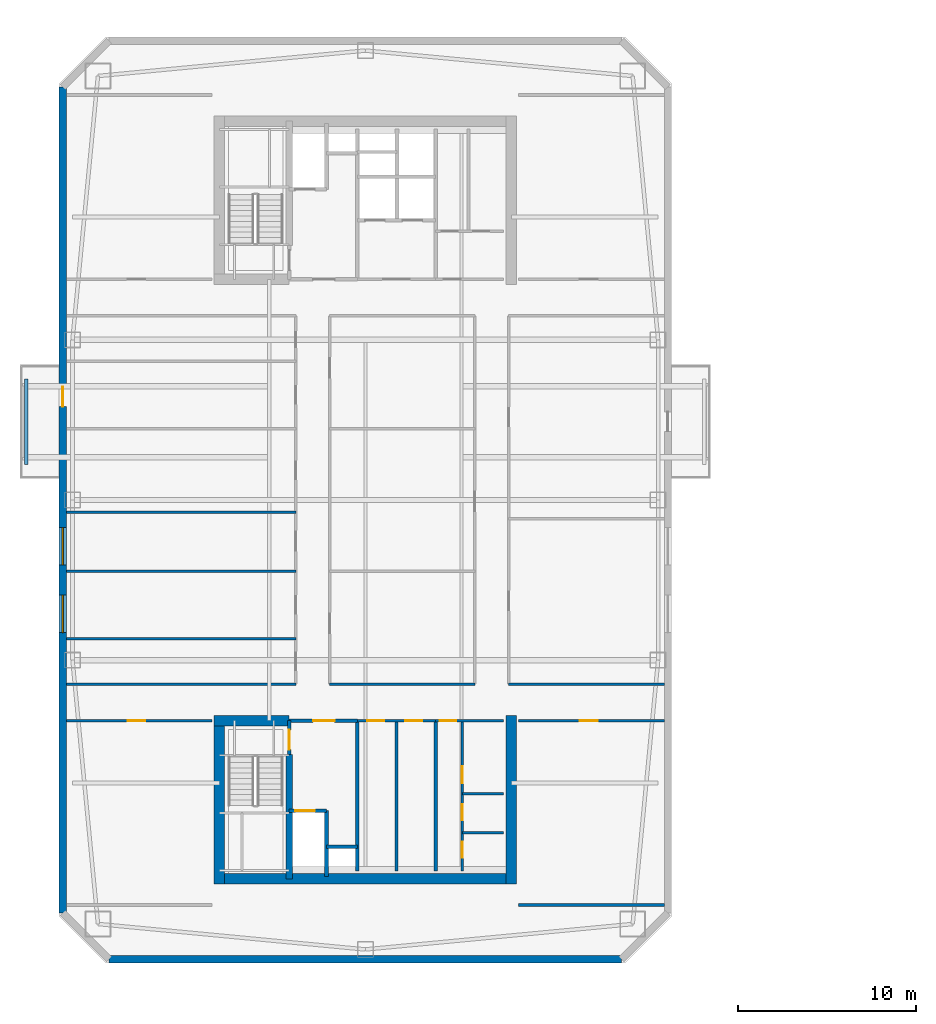
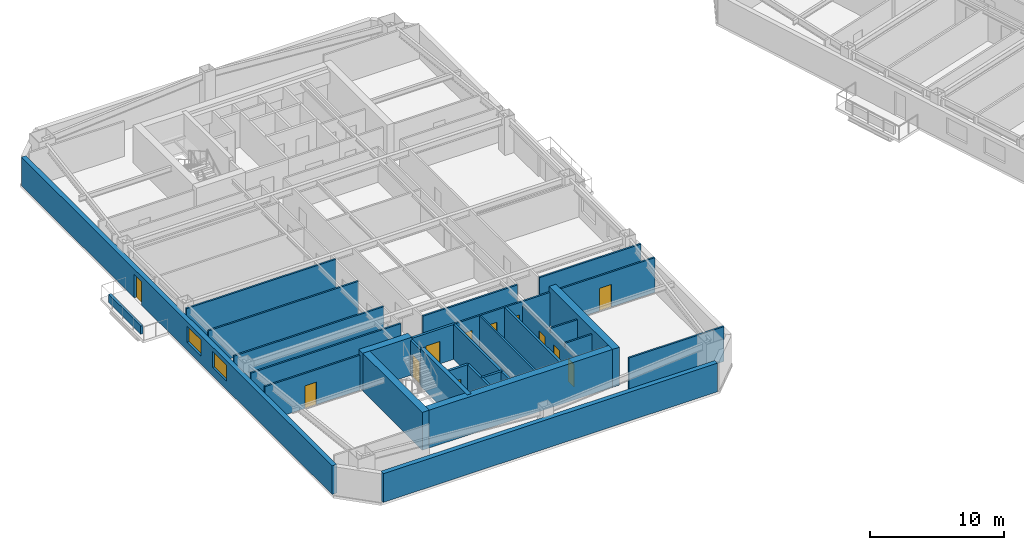
# One storey, part 6 of 17: 30 walls, 12 doors, 2 windows, 14 openings.
"""IFC4 building model written with IfcOpenShell, lengths in metres."""

from ifc_helpers import new_model, si_unit, direction, frame, frame_2d, origin, place, context, subcontext, project, spatial, rectangle, extrude, material, layer, layer_set, type_object, element, fill, save


model = new_model("IFC4")

# Units and contexts
model_context = context("Model", 3, precision=1e-05, world=origin(), true_north=direction((0.0, 1.0)))
body_context = subcontext(model_context, "Body", "Model", "MODEL_VIEW")
ifc_project = project(units=[si_unit("LENGTHUNIT", "METRE"), si_unit("AREAUNIT", "SQUARE_METRE"), si_unit("VOLUMEUNIT", "CUBIC_METRE"), si_unit("PLANEANGLEUNIT", "RADIAN"), si_unit("MASSUNIT", "GRAM", prefix="KILO")], contexts=[model_context])

# Site, building, storey
site_placement = place(None, origin())
site = spatial("IfcSite", under=ifc_project, at=site_placement, CompositionType="ELEMENT")
building_placement = place(site_placement, origin())
building = spatial("IfcBuilding", under=site, at=building_placement, Name="Qiaolan Cultural Towers", CompositionType="ELEMENT")
storey_placement = place(building_placement, frame((0.0, 0.0, 177.10009765625)))
storey = spatial("IfcBuildingStorey", under=building, at=storey_placement, Name="L47", CompositionType="ELEMENT", Elevation=177.10009765625)

# Walls
ifc_material_1 = material(Name="Concrete C50", Category="concrete")
ifc_layer_1 = layer(ifc_material_1, 0.35009765625)
ifc_layer_set_1 = layer_set([ifc_layer_1], Name="Concrete C50")
wall_type_1 = type_object("IfcWallType", Name="WL-CORE-350", PredefinedType="SHEAR", material=ifc_layer_set_1)
wall_1_placement = place(storey_placement, frame((25.719970703125, 19.699951171875, 0.0), z_axis=(0.0, 0.0, 1.0), x_axis=(0.0, -1.0, 0.0)))
element("IfcWall", 1, at=wall_1_placement, inside=storey, type_object=wall_type_1, Name="L47 T1-CS Stair Core Dividing Web", PredefinedType="SHEAR", context=body_context, shape_type="SweptSolid", body=[
    extrude(rectangle(XDim=6.97998046875, YDim=0.35009765625, at=frame_2d((3.489990234375, 0.0))), origin(), (0.0, 0.0, 1.0), 3.449951171875),
])
ifc_material_2 = material(Name="Concrete C55", Category="concrete")
ifc_layer_2 = layer(ifc_material_2, 0.60009765625)
ifc_layer_set_2 = layer_set([ifc_layer_2], Name="Concrete C55")
wall_type_2 = type_object("IfcWallType", Name="WL-CORE-600", PredefinedType="SHEAR", material=ifc_layer_set_2)
wall_2_placement = place(storey_placement, frame((21.5, 12.719970703125, 0.0), z_axis=(0.0, 0.0, 1.0), x_axis=(1.0, 0.0, 0.0)))
element("IfcWall", 2, at=wall_2_placement, inside=storey, type_object=wall_type_2, Name="L47 T1-CS Outer Core Shear Wall", PredefinedType="SHEAR", context=body_context, shape_type="SweptSolid", body=[
    extrude(rectangle(XDim=17.0, YDim=0.60009765625, at=frame_2d((8.5, 0.0))), origin(), (0.0, 0.0, 1.0), 3.449951171875),
])
for number, where, z_axis, x_axis, name in (
    (3, (21.800048828125, 21.89990234375, 0.0), (0.0, 0.0, 1.0), (0.0, -1.0, 0.0), "L47 T1-CS West Core Shear Wall"),
    (4, (38.199951171875, 21.89990234375, 0.0), (0.0, 0.0, 1.0), (0.0, -1.0, 0.0), "L47 T1-CS East Core Shear Wall"),
):
    element("IfcWall", number, at=place(storey_placement, frame(where, z_axis=z_axis, x_axis=x_axis)), inside=storey, type_object=wall_type_2, Name=name, PredefinedType="SHEAR", context=body_context, shape_type="SweptSolid", body=[
        extrude(rectangle(XDim=9.47998046875, YDim=0.60009765625, at=frame_2d((4.739990234375, 0.0))), origin(), (0.0, 0.0, 1.0), 3.449951171875),
    ])
wall_3_placement = place(storey_placement, frame((21.5, 21.60009765625, 0.0), z_axis=(0.0, 0.0, 1.0), x_axis=(1.0, 0.0, 0.0)))
element("IfcWall", 5, at=wall_3_placement, inside=storey, type_object=wall_type_2, Name="L47 T1-CS Stair Front Shear Wall", PredefinedType="SHEAR", context=body_context, shape_type="SweptSolid", body=[
    extrude(rectangle(XDim=4.219970703125, YDim=0.60009765625, at=frame_2d((2.10986328125, 0.0))), origin(), (0.0, 0.0, 1.0), 3.449951171875),
])

# Wall, openings, door, windows
ifc_material_3 = material(Name="Precast Concrete C50 Honed Stone Pier", Category="masonry")
ifc_layer_3 = layer(ifc_material_3, 0.39990234375)
ifc_layer_set_3 = layer_set([ifc_layer_3], Name="Precast Concrete C50 Honed Stone Pier")
wall_type_3 = type_object("IfcWallType", Name="WL-EXT-PIER-400", PredefinedType="SOLIDWALL", material=ifc_layer_set_3)
wall_4_placement = place(storey_placement, frame((13.0, 10.800048828125, 0.0), z_axis=(0.0, 0.0, 1.0), x_axis=(0.0, 1.0, 0.0)))
wall_4 = element("IfcWall", 6, at=wall_4_placement, inside=storey, type_object=wall_type_3, Name="L47 West Tower Precast Pier Facade Wall F1", PredefinedType="SOLIDWALL", context=body_context, shape_type="SweptSolid", body=[
    extrude(rectangle(XDim=46.39990234375, YDim=0.39990234375, at=frame_2d((23.199951171875, 0.0))), origin(), (0.0, 0.0, 1.0), 2.60986328125),
])
opening_1_placement = place(wall_4_placement, frame((15.75, 0.0, 0.75)))
opening_1 = element("IfcOpeningElement", 7, at=opening_1_placement, cuts=wall_4, Name="Opening W-05", PredefinedType="OPENING", context=body_context, shape_type="SweptSolid", body=[
    extrude(rectangle(XDim=2.10009765625, YDim=1.4599609375, at=frame_2d((1.050048828125, 0.72998046875))), frame((0.0, 0.2099609375, 0.0), z_axis=(0.0, -1.0, 0.0), x_axis=(1.0, 0.0, 0.0)), (0.0, 0.0, 1.0), 0.419921875),
])
opening_2_placement = place(wall_4_placement, frame((19.550048828125, 0.0, 0.75)))
opening_2 = element("IfcOpeningElement", 8, at=opening_2_placement, cuts=wall_4, Name="Opening W-05", PredefinedType="OPENING", context=body_context, shape_type="SweptSolid", body=[
    extrude(rectangle(XDim=2.10009765625, YDim=1.4599609375, at=frame_2d((1.050048828125, 0.72998046875))), frame((0.0, 0.2099609375, 0.0), z_axis=(0.0, -1.0, 0.0), x_axis=(1.0, 0.0, 0.0)), (0.0, 0.0, 1.0), 0.419921875),
])
opening_3_placement = place(wall_4_placement, frame((28.449951171875, 0.0, 0.0)))
opening_3 = element("IfcOpeningElement", 9, at=opening_3_placement, cuts=wall_4, Name="Opening BD-01", PredefinedType="OPENING", context=body_context, shape_type="SweptSolid", body=[
    extrude(rectangle(XDim=1.10009765625, YDim=2.14990234375, at=frame_2d((0.550048828125, 1.074951171875))), frame((0.0, 0.2099609375, 0.0), z_axis=(0.0, -1.0, 0.0), x_axis=(1.0, 0.0, 0.0)), (0.0, 0.0, 1.0), 0.419921875),
])
ifc_material_4 = material(Name="Thermally Broken Aluminium Glazed Terrace Door", Category="aluminium")
door_type_1 = type_object("IfcDoorType", Name="DR-BAL-1100", OperationType="NOTDEFINED", PredefinedType="DOOR", material=ifc_material_4)
door_1_placement = place(opening_3_placement, origin())
door_1 = element("IfcDoor", 10, at=door_1_placement, inside=storey, type_object=door_type_1, Name="L47 T1 West Tree Balcony Door", OperationType="SINGLE_SWING_LEFT", OverallHeight=2.14990234375, OverallWidth=1.10009765625, PredefinedType="DOOR", context=body_context, shape_type="SweptSolid", body=[
    extrude(rectangle(XDim=1.10009765625, YDim=2.14990234375, at=frame_2d((0.550048828125, 1.074951171875))), frame((0.0, 0.02490234375, 0.0), z_axis=(0.0, -1.0, 0.0), x_axis=(1.0, 0.0, 0.0)), (0.0, 0.0, 1.0), 0.050048828125),
])
fill(opening_3, door_1)
ifc_material_5 = material(Name="Thermally Broken Aluminium Triple Low-E Glazing", Category="aluminium")
window_type = type_object("IfcWindowType", Name="WN-CHIC-2100", PartitioningType="SINGLE_PANEL", PredefinedType="WINDOW", material=ifc_material_5)
window_1_placement = place(opening_1_placement, origin())
window_1 = element("IfcWindow", 11, at=window_1_placement, inside=storey, type_object=window_type, Name="L47 T1 W Chicago Bay Window 1", OverallHeight=1.4599609375, OverallWidth=2.10009765625, PartitioningType="TRIPLE_PANEL_VERTICAL", PredefinedType="WINDOW", context=body_context, shape_type="SweptSolid", body=[
    extrude(rectangle(XDim=2.10009765625, YDim=1.4599609375, at=frame_2d((1.050048828125, 0.72998046875))), frame((0.0, 0.030029296875, 0.0), z_axis=(0.0, -1.0, 0.0), x_axis=(1.0, 0.0, 0.0)), (0.0, 0.0, 1.0), 0.06005859375),
])
fill(opening_1, window_1)
window_2_placement = place(opening_2_placement, origin())
window_2 = element("IfcWindow", 12, at=window_2_placement, inside=storey, type_object=window_type, Name="L47 T1 W Chicago Bay Window 2", OverallHeight=1.4599609375, OverallWidth=2.10009765625, PartitioningType="TRIPLE_PANEL_VERTICAL", PredefinedType="WINDOW", context=body_context, shape_type="SweptSolid", body=[
    extrude(rectangle(XDim=2.10009765625, YDim=1.4599609375, at=frame_2d((1.050048828125, 0.72998046875))), frame((0.0, 0.030029296875, 0.0), z_axis=(0.0, -1.0, 0.0), x_axis=(1.0, 0.0, 0.0)), (0.0, 0.0, 1.0), 0.06005859375),
])
fill(opening_2, window_2)

# Wall
wall_5_placement = place(storey_placement, frame((44.39990234375, 8.199951171875, 0.0), z_axis=(0.0, 0.0, 1.0), x_axis=(-1.0, 0.0, 0.0)))
element("IfcWall", 13, at=wall_5_placement, inside=storey, type_object=wall_type_3, Name="L47 West Tower Precast Pier Facade Wall F7", PredefinedType="SOLIDWALL", context=body_context, shape_type="SweptSolid", body=[
    extrude(rectangle(XDim=28.7998046875, YDim=0.39990234375, at=frame_2d((14.39990234375, 0.0))), origin(), (0.0, 0.0, 1.0), 2.60986328125),
])

# Wall, opening, door
ifc_material_6 = material(Name="Concrete C35 Fire Wall", Category="concrete")
ifc_layer_4 = layer(ifc_material_6, 0.199951171875)
ifc_layer_set_4 = layer_set([ifc_layer_4], Name="Concrete C35 Fire Wall")
wall_type_4 = type_object("IfcWallType", Name="WL-FIRE-200", PredefinedType="PARTITIONING", material=ifc_layer_set_4)
wall_6_placement = place(storey_placement, frame((25.719970703125, 21.60009765625, 0.0), z_axis=(0.0, 0.0, 1.0), x_axis=(0.0, -1.0, 0.0)))
wall_6 = element("IfcWall", 14, at=wall_6_placement, inside=storey, type_object=wall_type_4, Name="L47 T1-CS Smokeproof Stair Entry Wall", PredefinedType="PARTITIONING", context=body_context, shape_type="SweptSolid", body=[
    extrude(rectangle(XDim=1.900146484375, YDim=0.199951171875, at=frame_2d((0.9501953125, 0.0))), origin(), (0.0, 0.0, 1.0), 3.1748046875),
])
opening_4_placement = place(wall_6_placement, frame((0.52001953125, 0.0, 0.0)))
opening_4 = element("IfcOpeningElement", 15, at=opening_4_placement, cuts=wall_6, Name="Opening FD-04", PredefinedType="OPENING", context=body_context, shape_type="SweptSolid", body=[
    extrude(rectangle(XDim=1.10009765625, YDim=2.050048828125, at=frame_2d((0.550048828125, 1.02490234375))), frame((0.0, 0.10986328125, 0.0), z_axis=(0.0, -1.0, 0.0), x_axis=(1.0, 0.0, 0.0)), (0.0, 0.0, 1.0), 0.219970703125),
])
ifc_material_7 = material(Name="Galvanized Steel Command Fire Door", Category="steel")
door_type_2 = type_object("IfcDoorType", Name="DR-FD90-1100", OperationType="NOTDEFINED", PredefinedType="DOOR", material=ifc_material_7)
door_2_placement = place(opening_4_placement, origin())
door_2 = element("IfcDoor", 16, at=door_2_placement, inside=storey, type_object=door_type_2, Name="L47 ST-W1 Smokeproof Stair Fire Door", OperationType="SINGLE_SWING_LEFT", OverallHeight=2.050048828125, OverallWidth=1.10009765625, PredefinedType="DOOR", context=body_context, shape_type="SweptSolid", body=[
    extrude(rectangle(XDim=1.10009765625, YDim=2.050048828125, at=frame_2d((0.550048828125, 1.02490234375))), frame((0.0, 0.02490234375, 0.0), z_axis=(0.0, -1.0, 0.0), x_axis=(1.0, 0.0, 0.0)), (0.0, 0.0, 1.0), 0.050048828125),
])
fill(opening_4, door_2)

# Wall
wall_7_placement = place(storey_placement, frame((29.550048828125, 21.60009765625, 0.0), z_axis=(0.0, 0.0, 1.0), x_axis=(0.0, -1.0, 0.0)))
element("IfcWall", 17, at=wall_7_placement, inside=storey, type_object=wall_type_4, Name="L47 T1-CS Firefighting Zone Wall", PredefinedType="PARTITIONING", context=body_context, shape_type="SweptSolid", body=[
    extrude(rectangle(XDim=8.43017578125, YDim=0.199951171875, at=frame_2d((4.215087890625, 0.0))), origin(), (0.0, 0.0, 1.0), 3.1748046875),
])

# Wall, opening, door
wall_8_placement = place(storey_placement, frame((25.719970703125, 21.60009765625, 0.0), z_axis=(0.0, 0.0, 1.0), x_axis=(1.0, 0.0, 0.0)))
wall_8 = element("IfcWall", 18, at=wall_8_placement, inside=storey, type_object=wall_type_4, Name="L47 T1-CS Firefighting Lobby Front Wall", PredefinedType="PARTITIONING", context=body_context, shape_type="SweptSolid", body=[
    extrude(rectangle(XDim=3.830078125, YDim=0.199951171875, at=frame_2d((1.9150390625, 0.0))), origin(), (0.0, 0.0, 1.0), 3.1748046875),
])
opening_5_placement = place(wall_8_placement, frame((1.35009765625, 0.0, 0.0)))
opening_5 = element("IfcOpeningElement", 19, at=opening_5_placement, cuts=wall_8, Name="Opening FD-03", PredefinedType="OPENING", context=body_context, shape_type="SweptSolid", body=[
    extrude(rectangle(XDim=1.199951171875, YDim=2.050048828125, at=frame_2d((0.60009765625, 1.02490234375))), frame((0.0, 0.10986328125, 0.0), z_axis=(0.0, -1.0, 0.0), x_axis=(1.0, 0.0, 0.0)), (0.0, 0.0, 1.0), 0.219970703125),
])
ifc_material_8 = material(Name="Galvanized Steel Smokeproof Lobby Fire Door", Category="steel")
door_type_3 = type_object("IfcDoorType", Name="DR-FD90-1200", OperationType="NOTDEFINED", PredefinedType="DOOR", material=ifc_material_8)
door_3_placement = place(opening_5_placement, origin())
door_3 = element("IfcDoor", 20, at=door_3_placement, inside=storey, type_object=door_type_3, Name="L47 FFL-W1 Firefighting Lobby Fire Door", OperationType="SINGLE_SWING_LEFT", OverallHeight=2.050048828125, OverallWidth=1.199951171875, PredefinedType="DOOR", context=body_context, shape_type="SweptSolid", body=[
    extrude(rectangle(XDim=1.199951171875, YDim=2.050048828125, at=frame_2d((0.60009765625, 1.02490234375))), frame((0.0, 0.02490234375, 0.0), z_axis=(0.0, -1.0, 0.0), x_axis=(1.0, 0.0, 0.0)), (0.0, 0.0, 1.0), 0.050048828125),
])
fill(opening_5, door_3)

wall_9_placement = place(storey_placement, frame((25.719970703125, 16.550048828125, 0.0), z_axis=(0.0, 0.0, 1.0), x_axis=(1.0, 0.0, 0.0)))
wall_9 = element("IfcWall", 21, at=wall_9_placement, inside=storey, type_object=wall_type_4, Name="L47 T1-CS Firefighting Shaft Front Wall", PredefinedType="PARTITIONING", context=body_context, shape_type="SweptSolid", body=[
    extrude(rectangle(XDim=2.10009765625, YDim=0.199951171875, at=frame_2d((1.050048828125, 0.0))), origin(), (0.0, 0.0, 1.0), 3.1748046875),
])
opening_6_placement = place(wall_9_placement, frame((0.35009765625, 0.0, 0.0)))
opening_6 = element("IfcOpeningElement", 22, at=opening_6_placement, cuts=wall_9, Name="Opening LD-01", PredefinedType="OPENING", context=body_context, shape_type="SweptSolid", body=[
    extrude(rectangle(XDim=1.10009765625, YDim=2.050048828125, at=frame_2d((0.550048828125, 1.02490234375))), frame((0.0, 0.10986328125, 0.0), z_axis=(0.0, -1.0, 0.0), x_axis=(1.0, 0.0, 0.0)), (0.0, 0.0, 1.0), 0.219970703125),
])
ifc_material_9 = material(Name="Brushed Stainless Steel S30408 Centre-Parting Lift Landing Door", Category="steel")
door_type_4 = type_object("IfcDoorType", Name="DR-LIFT-1100", OperationType="NOTDEFINED", PredefinedType="DOOR", material=ifc_material_9)
door_4_placement = place(opening_6_placement, origin())
door_4 = element("IfcDoor", 23, at=door_4_placement, inside=storey, type_object=door_type_4, Name="L47 FFL-W1 Firefighting Lift Landing Door", OperationType="DOUBLE_DOOR_SLIDING", OverallHeight=2.050048828125, OverallWidth=1.10009765625, PredefinedType="DOOR", context=body_context, shape_type="SweptSolid", body=[
    extrude(rectangle(XDim=1.10009765625, YDim=2.050048828125, at=frame_2d((0.550048828125, 1.02490234375))), frame((0.0, 0.02490234375, 0.0), z_axis=(0.0, -1.0, 0.0), x_axis=(1.0, 0.0, 0.0)), (0.0, 0.0, 1.0), 0.050048828125),
])
fill(opening_6, door_4)

# Walls
wall_10_placement = place(storey_placement, frame((27.820068359375, 16.550048828125, 0.0), z_axis=(0.0, 0.0, 1.0), x_axis=(0.0, -1.0, 0.0)))
element("IfcWall", 24, at=wall_10_placement, inside=storey, type_object=wall_type_4, Name="L47 T1-CS Firefighting Hoistway East Wall", PredefinedType="PARTITIONING", context=body_context, shape_type="SweptSolid", body=[
    extrude(rectangle(XDim=3.699951171875, YDim=0.199951171875, at=frame_2d((1.85009765625, 0.0))), origin(), (0.0, 0.0, 1.0), 3.1748046875),
])
wall_11_placement = place(storey_placement, frame((27.820068359375, 14.52001953125, 0.0), z_axis=(0.0, 0.0, 1.0), x_axis=(1.0, 0.0, 0.0)))
element("IfcWall", 25, at=wall_11_placement, inside=storey, type_object=wall_type_4, Name="L47 T1-CS Pressurization Shaft Front Wall", PredefinedType="PARTITIONING", context=body_context, shape_type="SweptSolid", body=[
    extrude(rectangle(XDim=1.72998046875, YDim=0.199951171875, at=frame_2d((0.864990234375, 0.0))), origin(), (0.0, 0.0, 1.0), 3.1748046875),
])
wall_12_placement = place(storey_placement, frame((33.949951171875, 21.60009765625, 0.0), z_axis=(0.0, 0.0, 1.0), x_axis=(0.0, -1.0, 0.0)))
element("IfcWall", 26, at=wall_12_placement, inside=storey, type_object=wall_type_4, Name="L47 T1-CS Lift Core East Wall", PredefinedType="PARTITIONING", context=body_context, shape_type="SweptSolid", body=[
    extrude(rectangle(XDim=8.43017578125, YDim=0.199951171875, at=frame_2d((4.215087890625, 0.0))), origin(), (0.0, 0.0, 1.0), 3.1748046875),
])

# Wall, openings, doors
ifc_material_10 = material(Name="Autoclaved Aerated Concrete Block B06", Category="concrete")
ifc_layer_5 = layer(ifc_material_10, 0.14990234375)
ifc_layer_set_5 = layer_set([ifc_layer_5], Name="Autoclaved Aerated Concrete Block B06")
wall_type_5 = type_object("IfcWallType", Name="WL-PART-150", PredefinedType="PARTITIONING", material=ifc_layer_set_5)
wall_13_placement = place(storey_placement, frame((29.550048828125, 21.60009765625, 0.0), z_axis=(0.0, 0.0, 1.0), x_axis=(1.0, 0.0, 0.0)))
wall_13 = element("IfcWall", 27, at=wall_13_placement, inside=storey, type_object=wall_type_5, Name="L47 T1-CS Reclaimed Core Room Front Wall", PredefinedType="PARTITIONING", context=body_context, shape_type="SweptSolid", body=[
    extrude(rectangle(XDim=4.39990234375, YDim=0.14990234375, at=frame_2d((2.199951171875, 0.0))), origin(), (0.0, 0.0, 1.0), 3.1748046875),
])
opening_7_placement = place(wall_13_placement, frame((0.550048828125, 0.0, 0.0)))
opening_7 = element("IfcOpeningElement", 28, at=opening_7_placement, cuts=wall_13, Name="Opening ID-05", PredefinedType="OPENING", context=body_context, shape_type="SweptSolid", body=[
    extrude(rectangle(XDim=0.949951171875, YDim=2.050048828125, at=frame_2d((0.47509765625, 1.02490234375))), frame((0.0, 0.0849609375, 0.0), z_axis=(0.0, -1.0, 0.0), x_axis=(1.0, 0.0, 0.0)), (0.0, 0.0, 1.0), 0.169921875),
])
opening_8_placement = place(wall_13_placement, frame((2.699951171875, 0.0, 0.0)))
opening_8 = element("IfcOpeningElement", 29, at=opening_8_placement, cuts=wall_13, Name="Opening ID-05", PredefinedType="OPENING", context=body_context, shape_type="SweptSolid", body=[
    extrude(rectangle(XDim=0.949951171875, YDim=2.050048828125, at=frame_2d((0.47509765625, 1.02490234375))), frame((0.0, 0.0849609375, 0.0), z_axis=(0.0, -1.0, 0.0), x_axis=(1.0, 0.0, 0.0)), (0.0, 0.0, 1.0), 0.169921875),
])
ifc_material_11 = material(Name="Fire-Rated Laminate Accessible Core Door", Category="timber")
door_type_5 = type_object("IfcDoorType", Name="DR-INT-950", OperationType="NOTDEFINED", PredefinedType="DOOR", material=ifc_material_11)
door_5_placement = place(opening_7_placement, origin())
door_5 = element("IfcDoor", 30, at=door_5_placement, inside=storey, type_object=door_type_5, Name="L47 Copy Print Room Door", OperationType="SINGLE_SWING_LEFT", OverallHeight=2.050048828125, OverallWidth=0.949951171875, PredefinedType="DOOR", context=body_context, shape_type="SweptSolid", body=[
    extrude(rectangle(XDim=0.949951171875, YDim=2.050048828125, at=frame_2d((0.47509765625, 1.02490234375))), frame((0.0, 0.02490234375, 0.0), z_axis=(0.0, -1.0, 0.0), x_axis=(1.0, 0.0, 0.0)), (0.0, 0.0, 1.0), 0.050048828125),
])
fill(opening_7, door_5)
door_6_placement = place(opening_8_placement, origin())
door_6 = element("IfcDoor", 31, at=door_6_placement, inside=storey, type_object=door_type_5, Name="L47 Tea Pantry Room Door", OperationType="SINGLE_SWING_RIGHT", OverallHeight=2.050048828125, OverallWidth=0.949951171875, PredefinedType="DOOR", context=body_context, shape_type="SweptSolid", body=[
    extrude(rectangle(XDim=0.949951171875, YDim=2.050048828125, at=frame_2d((0.47509765625, 1.02490234375))), frame((0.0, 0.02490234375, 0.0), z_axis=(0.0, -1.0, 0.0), x_axis=(1.0, 0.0, 0.0)), (0.0, 0.0, 1.0), 0.050048828125),
])
fill(opening_8, door_6)

# Wall
wall_14_placement = place(storey_placement, frame((31.75, 21.60009765625, 0.0), z_axis=(0.0, 0.0, 1.0), x_axis=(0.0, -1.0, 0.0)))
element("IfcWall", 32, at=wall_14_placement, inside=storey, type_object=wall_type_5, Name="L47 T1-CS Reclaimed Twin Room Wall", PredefinedType="PARTITIONING", context=body_context, shape_type="SweptSolid", body=[
    extrude(rectangle(XDim=8.43017578125, YDim=0.14990234375, at=frame_2d((4.215087890625, 0.0))), origin(), (0.0, 0.0, 1.0), 3.1748046875),
])

# Wall, opening, door
wall_15_placement = place(storey_placement, frame((33.949951171875, 21.60009765625, 0.0), z_axis=(0.0, 0.0, 1.0), x_axis=(1.0, 0.0, 0.0)))
wall_15 = element("IfcWall", 33, at=wall_15_placement, inside=storey, type_object=wall_type_5, Name="L47 T1-CS Sanitary Core Front Wall", PredefinedType="PARTITIONING", context=body_context, shape_type="SweptSolid", body=[
    extrude(rectangle(XDim=3.800048828125, YDim=0.14990234375, at=frame_2d((1.89990234375, 0.0))), origin(), (0.0, 0.0, 1.0), 3.1748046875),
])
opening_9_placement = place(wall_15_placement, frame((0.219970703125, 0.0, 0.0)))
opening_9 = element("IfcOpeningElement", 34, at=opening_9_placement, cuts=wall_15, Name="Opening ID-05", PredefinedType="OPENING", context=body_context, shape_type="SweptSolid", body=[
    extrude(rectangle(XDim=0.949951171875, YDim=2.050048828125, at=frame_2d((0.47509765625, 1.02490234375))), frame((0.0, 0.0849609375, 0.0), z_axis=(0.0, -1.0, 0.0), x_axis=(1.0, 0.0, 0.0)), (0.0, 0.0, 1.0), 0.169921875),
])
door_7_placement = place(opening_9_placement, origin())
door_7 = element("IfcDoor", 35, at=door_7_placement, inside=storey, type_object=door_type_5, Name="L47 Sanitary Vestibule Door", OperationType="SINGLE_SWING_LEFT", OverallHeight=2.050048828125, OverallWidth=0.949951171875, PredefinedType="DOOR", context=body_context, shape_type="SweptSolid", body=[
    extrude(rectangle(XDim=0.949951171875, YDim=2.050048828125, at=frame_2d((0.47509765625, 1.02490234375))), frame((0.0, 0.02490234375, 0.0), z_axis=(0.0, -1.0, 0.0), x_axis=(1.0, 0.0, 0.0)), (0.0, 0.0, 1.0), 0.050048828125),
])
fill(opening_9, door_7)

# Wall, openings, doors
wall_16_placement = place(storey_placement, frame((35.449951171875, 21.60009765625, 0.0), z_axis=(0.0, 0.0, 1.0), x_axis=(0.0, -1.0, 0.0)))
wall_16 = element("IfcWall", 36, at=wall_16_placement, inside=storey, type_object=wall_type_5, Name="L47 T1-CS Sanitary Vestibule Wall", PredefinedType="PARTITIONING", context=body_context, shape_type="SweptSolid", body=[
    extrude(rectangle(XDim=8.43017578125, YDim=0.14990234375, at=frame_2d((4.215087890625, 0.0))), origin(), (0.0, 0.0, 1.0), 2.81494140625),
])
opening_10_placement = place(wall_16_placement, frame((2.550048828125, 0.0, 0.0)))
opening_10 = element("IfcOpeningElement", 37, at=opening_10_placement, cuts=wall_16, Name="Opening ID-05", PredefinedType="OPENING", context=body_context, shape_type="SweptSolid", body=[
    extrude(rectangle(XDim=0.949951171875, YDim=2.050048828125, at=frame_2d((0.47509765625, 1.02490234375))), frame((0.0, 0.0849609375, 0.0), z_axis=(0.0, -1.0, 0.0), x_axis=(1.0, 0.0, 0.0)), (0.0, 0.0, 1.0), 0.169921875),
])
opening_11_placement = place(wall_16_placement, frame((4.699951171875, 0.0, 0.0)))
opening_11 = element("IfcOpeningElement", 38, at=opening_11_placement, cuts=wall_16, Name="Opening ID-06", PredefinedType="OPENING", context=body_context, shape_type="SweptSolid", body=[
    extrude(rectangle(XDim=0.89990234375, YDim=2.050048828125, at=frame_2d((0.449951171875, 1.02490234375))), frame((0.0, 0.0849609375, 0.0), z_axis=(0.0, -1.0, 0.0), x_axis=(1.0, 0.0, 0.0)), (0.0, 0.0, 1.0), 0.169921875),
])
opening_12_placement = place(wall_16_placement, frame((6.800048828125, 0.0, 0.0)))
opening_12 = element("IfcOpeningElement", 39, at=opening_12_placement, cuts=wall_16, Name="Opening ID-06", PredefinedType="OPENING", context=body_context, shape_type="SweptSolid", body=[
    extrude(rectangle(XDim=0.89990234375, YDim=2.050048828125, at=frame_2d((0.449951171875, 1.02490234375))), frame((0.0, 0.0849609375, 0.0), z_axis=(0.0, -1.0, 0.0), x_axis=(1.0, 0.0, 0.0)), (0.0, 0.0, 1.0), 0.169921875),
])
ifc_material_12 = material(Name="Fire-Rated Laminate Core Service Door", Category="timber")
door_type_6 = type_object("IfcDoorType", Name="DR-INT-900", OperationType="NOTDEFINED", PredefinedType="DOOR", material=ifc_material_12)
door_8_placement = place(opening_11_placement, origin())
door_8 = element("IfcDoor", 40, at=door_8_placement, inside=storey, type_object=door_type_6, Name="L47 Men Washroom Door", OperationType="SINGLE_SWING_LEFT", OverallHeight=2.050048828125, OverallWidth=0.89990234375, PredefinedType="DOOR", context=body_context, shape_type="SweptSolid", body=[
    extrude(rectangle(XDim=0.89990234375, YDim=2.050048828125, at=frame_2d((0.449951171875, 1.02490234375))), frame((0.0, 0.02490234375, 0.0), z_axis=(0.0, -1.0, 0.0), x_axis=(1.0, 0.0, 0.0)), (0.0, 0.0, 1.0), 0.050048828125),
])
fill(opening_11, door_8)
door_9_placement = place(opening_12_placement, origin())
door_9 = element("IfcDoor", 41, at=door_9_placement, inside=storey, type_object=door_type_6, Name="L47 Women Washroom Door", OperationType="SINGLE_SWING_RIGHT", OverallHeight=2.050048828125, OverallWidth=0.89990234375, PredefinedType="DOOR", context=body_context, shape_type="SweptSolid", body=[
    extrude(rectangle(XDim=0.89990234375, YDim=2.050048828125, at=frame_2d((0.449951171875, 1.02490234375))), frame((0.0, 0.02490234375, 0.0), z_axis=(0.0, -1.0, 0.0), x_axis=(1.0, 0.0, 0.0)), (0.0, 0.0, 1.0), 0.050048828125),
])
fill(opening_12, door_9)
door_10_placement = place(opening_10_placement, origin())
door_10 = element("IfcDoor", 42, at=door_10_placement, inside=storey, type_object=door_type_5, Name="L47 Accessible Family Washroom Door", OperationType="SINGLE_SWING_LEFT", OverallHeight=2.050048828125, OverallWidth=0.949951171875, PredefinedType="DOOR", context=body_context, shape_type="SweptSolid", body=[
    extrude(rectangle(XDim=0.949951171875, YDim=2.050048828125, at=frame_2d((0.47509765625, 1.02490234375))), frame((0.0, 0.02490234375, 0.0), z_axis=(0.0, -1.0, 0.0), x_axis=(1.0, 0.0, 0.0)), (0.0, 0.0, 1.0), 0.050048828125),
])
fill(opening_10, door_10)

# Walls
for number, where, z_axis, x_axis, name in (
    (43, (35.449951171875, 17.5, 0.0), (0.0, 0.0, 1.0), (1.0, 0.0, 0.0), "L47 T1-CS Restroom Split Wall 1"),
    (44, (35.449951171875, 15.300048828125, 0.0), (0.0, 0.0, 1.0), (1.0, 0.0, 0.0), "L47 T1-CS Restroom Split Wall 2"),
):
    element("IfcWall", number, at=place(storey_placement, frame(where, z_axis=z_axis, x_axis=x_axis)), inside=storey, type_object=wall_type_5, Name=name, PredefinedType="PARTITIONING", context=body_context, shape_type="SweptSolid", body=[
        extrude(rectangle(XDim=2.300048828125, YDim=0.14990234375, at=frame_2d((1.14990234375, 0.0))), origin(), (0.0, 0.0, 1.0), 3.1748046875),
    ])

# Wall, opening, door
wall_17_placement = place(storey_placement, frame((13.199951171875, 21.60009765625, 0.0), z_axis=(0.0, 0.0, 1.0), x_axis=(1.0, 0.0, 0.0)))
wall_17 = element("IfcWall", 45, at=wall_17_placement, inside=storey, type_object=wall_type_5, Name="L47 T1 Flank Front FLK-SW", PredefinedType="PARTITIONING", context=body_context, shape_type="SweptSolid", body=[
    extrude(rectangle(XDim=8.199951171875, YDim=0.14990234375, at=frame_2d((4.10009765625, 0.0))), origin(), (0.0, 0.0, 1.0), 3.1748046875),
])
opening_13_placement = place(wall_17_placement, frame((3.444091796875, 0.0, 0.0)))
opening_13 = element("IfcOpeningElement", 46, at=opening_13_placement, cuts=wall_17, Name="Opening ID-04", PredefinedType="OPENING", context=body_context, shape_type="SweptSolid", body=[
    extrude(rectangle(XDim=1.0, YDim=2.050048828125, at=frame_2d((0.5, 1.02490234375))), frame((0.0, 0.0849609375, 0.0), z_axis=(0.0, -1.0, 0.0), x_axis=(1.0, 0.0, 0.0)), (0.0, 0.0, 1.0), 0.169921875),
])
ifc_material_13 = material(Name="Oak Veneer Acoustic Office Door", Category="timber")
door_type_7 = type_object("IfcDoorType", Name="DR-INT-1000", OperationType="NOTDEFINED", PredefinedType="DOOR", material=ifc_material_13)
door_11_placement = place(opening_13_placement, origin())
door_11 = element("IfcDoor", 47, at=door_11_placement, inside=storey, type_object=door_type_7, Name="L47 T1 Corner Studio Door", OperationType="SINGLE_SWING_LEFT", OverallHeight=2.050048828125, OverallWidth=1.0, PredefinedType="DOOR", context=body_context, shape_type="SweptSolid", body=[
    extrude(rectangle(XDim=1.0, YDim=2.050048828125, at=frame_2d((0.5, 1.02490234375))), frame((0.0, 0.02490234375, 0.0), z_axis=(0.0, -1.0, 0.0), x_axis=(1.0, 0.0, 0.0)), (0.0, 0.0, 1.0), 0.050048828125),
])
fill(opening_13, door_11)

# Wall
wall_18_placement = place(storey_placement, frame((38.60009765625, 11.25, 0.0), z_axis=(0.0, 0.0, 1.0), x_axis=(1.0, 0.0, 0.0)))
element("IfcWall", 48, at=wall_18_placement, inside=storey, type_object=wall_type_5, Name="L47 T1 Flank Wall FLK-SE", PredefinedType="PARTITIONING", context=body_context, shape_type="SweptSolid", body=[
    extrude(rectangle(XDim=8.199951171875, YDim=0.14990234375, at=frame_2d((4.10009765625, 0.0))), origin(), (0.0, 0.0, 1.0), 3.1748046875),
])

# Wall, opening, door
wall_19_placement = place(storey_placement, frame((38.60009765625, 21.60009765625, 0.0), z_axis=(0.0, 0.0, 1.0), x_axis=(1.0, 0.0, 0.0)))
wall_19 = element("IfcWall", 49, at=wall_19_placement, inside=storey, type_object=wall_type_5, Name="L47 T1 Flank Front FLK-SE", PredefinedType="PARTITIONING", context=body_context, shape_type="SweptSolid", body=[
    extrude(rectangle(XDim=8.199951171875, YDim=0.14990234375, at=frame_2d((4.10009765625, 0.0))), origin(), (0.0, 0.0, 1.0), 3.1748046875),
])
opening_14_placement = place(wall_19_placement, frame((3.444091796875, 0.0, 0.0)))
opening_14 = element("IfcOpeningElement", 50, at=opening_14_placement, cuts=wall_19, Name="Opening ID-04", PredefinedType="OPENING", context=body_context, shape_type="SweptSolid", body=[
    extrude(rectangle(XDim=1.0, YDim=2.050048828125, at=frame_2d((0.5, 1.02490234375))), frame((0.0, 0.0849609375, 0.0), z_axis=(0.0, -1.0, 0.0), x_axis=(1.0, 0.0, 0.0)), (0.0, 0.0, 1.0), 0.169921875),
])
door_12_placement = place(opening_14_placement, origin())
door_12 = element("IfcDoor", 51, at=door_12_placement, inside=storey, type_object=door_type_7, Name="L47 T1 Corner Studio Door", OperationType="SINGLE_SWING_LEFT", OverallHeight=2.050048828125, OverallWidth=1.0, PredefinedType="DOOR", context=body_context, shape_type="SweptSolid", body=[
    extrude(rectangle(XDim=1.0, YDim=2.050048828125, at=frame_2d((0.5, 1.02490234375))), frame((0.0, 0.02490234375, 0.0), z_axis=(0.0, -1.0, 0.0), x_axis=(1.0, 0.0, 0.0)), (0.0, 0.0, 1.0), 0.050048828125),
])
fill(opening_14, door_12)

# Walls
wall_20_placement = place(storey_placement, frame((13.199951171875, 23.64990234375, 0.0), z_axis=(0.0, 0.0, 1.0), x_axis=(1.0, 0.0, 0.0)))
element("IfcWall", 52, at=wall_20_placement, inside=storey, type_object=wall_type_5, Name="L47 T1 Interior Wall", PredefinedType="PARTITIONING", context=body_context, shape_type="SweptSolid", body=[
    extrude(rectangle(XDim=12.900146484375, YDim=0.14990234375, at=frame_2d((6.4501953125, 0.0))), origin(), (0.0, 0.0, 1.0), 3.1748046875),
])
wall_21_placement = place(storey_placement, frame((28.0, 23.64990234375, 0.0), z_axis=(0.0, 0.0, 1.0), x_axis=(1.0, 0.0, 0.0)))
element("IfcWall", 53, at=wall_21_placement, inside=storey, type_object=wall_type_5, Name="L47 T1 Interior Wall", PredefinedType="PARTITIONING", context=body_context, shape_type="SweptSolid", body=[
    extrude(rectangle(XDim=8.14990234375, YDim=0.14990234375, at=frame_2d((4.074951171875, 0.0))), origin(), (0.0, 0.0, 1.0), 3.1748046875),
])
wall_22_placement = place(storey_placement, frame((38.050048828125, 23.64990234375, 0.0), z_axis=(0.0, 0.0, 1.0), x_axis=(1.0, 0.0, 0.0)))
element("IfcWall", 54, at=wall_22_placement, inside=storey, type_object=wall_type_5, Name="L47 T1 Interior Wall", PredefinedType="PARTITIONING", context=body_context, shape_type="SweptSolid", body=[
    extrude(rectangle(XDim=8.75, YDim=0.14990234375, at=frame_2d((4.375, 0.0))), origin(), (0.0, 0.0, 1.0), 3.1748046875),
])
for number, where, z_axis, x_axis, name in (
    (55, (13.199951171875, 26.199951171875, 0.0), (0.0, 0.0, 1.0), (1.0, 0.0, 0.0), "L47 T1 Interior Wall"),
    (56, (13.199951171875, 30.0, 0.0), (0.0, 0.0, 1.0), (1.0, 0.0, 0.0), "L47 T1 Interior Wall"),
    (57, (13.199951171875, 33.320068359375, 0.0), (0.0, 0.0, 1.0), (1.0, 0.0, 0.0), "L47 T1 Interior Wall"),
):
    element("IfcWall", number, at=place(storey_placement, frame(where, z_axis=z_axis, x_axis=x_axis)), inside=storey, type_object=wall_type_5, Name=name, PredefinedType="PARTITIONING", context=body_context, shape_type="SweptSolid", body=[
        extrude(rectangle(XDim=12.900146484375, YDim=0.14990234375, at=frame_2d((6.4501953125, 0.0))), origin(), (0.0, 0.0, 1.0), 3.1748046875),
    ])
ifc_material_14 = material(Name="Precast Concrete C45 Tree Planter Upstand", Category="concrete")
ifc_layer_6 = layer(ifc_material_14, 0.199951171875)
ifc_layer_set_6 = layer_set([ifc_layer_6], Name="Precast Concrete C45 Tree Planter Upstand")
wall_type_6 = type_object("IfcWallType", Name="WL-PLANTER-200", PredefinedType="PARAPET", material=ifc_layer_set_6)
wall_23_placement = place(storey_placement, frame((10.949951171875, 36.0, 0.0), z_axis=(0.0, 0.0, 1.0), x_axis=(0.0, 1.0, 0.0)))
element("IfcWall", 58, at=wall_23_placement, inside=storey, type_object=wall_type_6, Name="L47 T1 Tree Balcony Soil Planter Box W", PredefinedType="PARAPET", context=body_context, shape_type="SweptSolid", body=[
    extrude(rectangle(XDim=4.800048828125, YDim=0.199951171875, at=frame_2d((2.39990234375, 0.0))), origin(), (0.0, 0.0, 1.0), 0.75),
])

save(model, "model.ifc")
